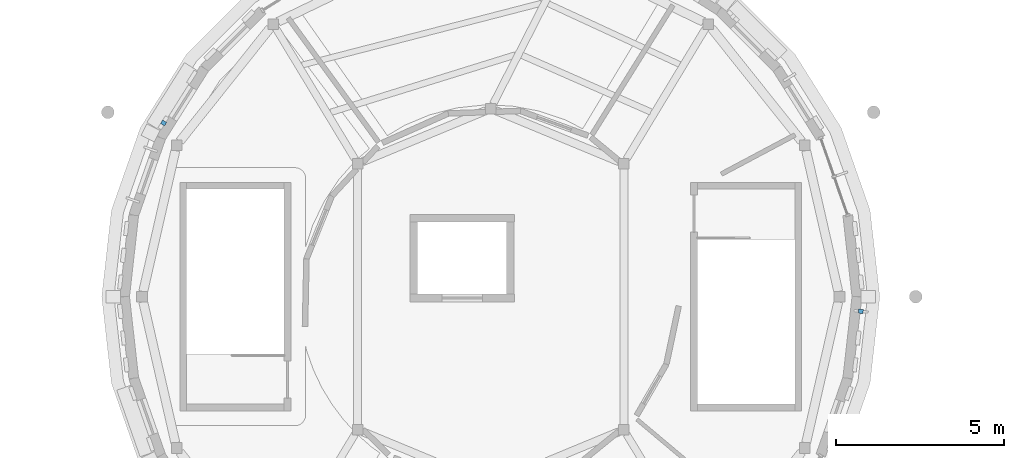
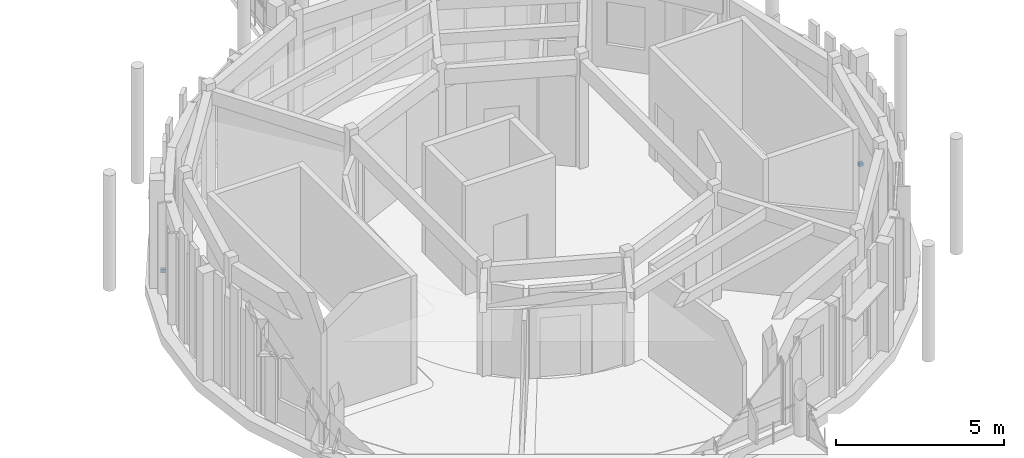
# One storey, part 60 of 80: 2 discrete accessories.
"""IFC4 building model written with IfcOpenShell, lengths in metres."""

from ifc_helpers import new_model, si_unit, direction, frame, origin, origin_2d, place, context, subcontext, project, spatial, rectangle, extrude, material, type_object, element, save


model = new_model("IFC4")

# Units and contexts
model_context = context("Model", 3, precision=1e-05, world=origin(), true_north=direction((0.0, 1.0)))
body_context = subcontext(model_context, "Body", "Model", "MODEL_VIEW")
ifc_project = project(units=[si_unit("LENGTHUNIT", "METRE"), si_unit("AREAUNIT", "SQUARE_METRE"), si_unit("VOLUMEUNIT", "CUBIC_METRE"), si_unit("PLANEANGLEUNIT", "RADIAN"), si_unit("MASSUNIT", "GRAM", prefix="KILO")], contexts=[model_context])

# Site, building, storey
site_placement = place(None, origin())
site = spatial("IfcSite", under=ifc_project, at=site_placement, CompositionType="ELEMENT")
building_placement = place(site_placement, origin())
building = spatial("IfcBuilding", under=site, at=building_placement, Name="Aldenvaro Health Centre", CompositionType="ELEMENT")
storey_placement = place(building_placement, frame((0.0, 0.0, 4.550048828125)))
storey = spatial("IfcBuildingStorey", under=building, at=storey_placement, Name="L01", CompositionType="ELEMENT", Elevation=4.550048828125)

# Discrete accessories
ifc_material = material(Name="Stainless Steel AISI 316", Category="steel")
discrete_accessory_type = type_object("IfcDiscreteAccessoryType", Name="ACC-BRK-01", PredefinedType="BRACKET", material=ifc_material)
for number, where, z_axis, x_axis, name in (
    (1, (34.51708984375, 57.06396484375, 0.18994140625), (0.0, 0.0, 1.0), (-0.111870646695, -0.993722777443, 0.0), "D3 L01 stainless fin bracket 1"),
    (2, (13.762939453125, 62.672119140625, 0.18994140625), (0.0, 0.0, 1.0), (0.532096042675, 0.846684003256, 0.0), "D3 L01 stainless fin bracket 17"),
):
    element("IfcDiscreteAccessory", number, at=place(storey_placement, frame(where, z_axis=z_axis, x_axis=x_axis)), inside=storey, type_object=discrete_accessory_type, Name=name, PredefinedType="BRACKET", context=body_context, shape_type="SweptSolid", body=[
        extrude(rectangle(XDim=0.1201171875, YDim=0.139892578125, at=origin_2d()), origin(), (0.0, 0.0, 1.0), 0.1201171875),
    ])

save(model, "model.ifc")
